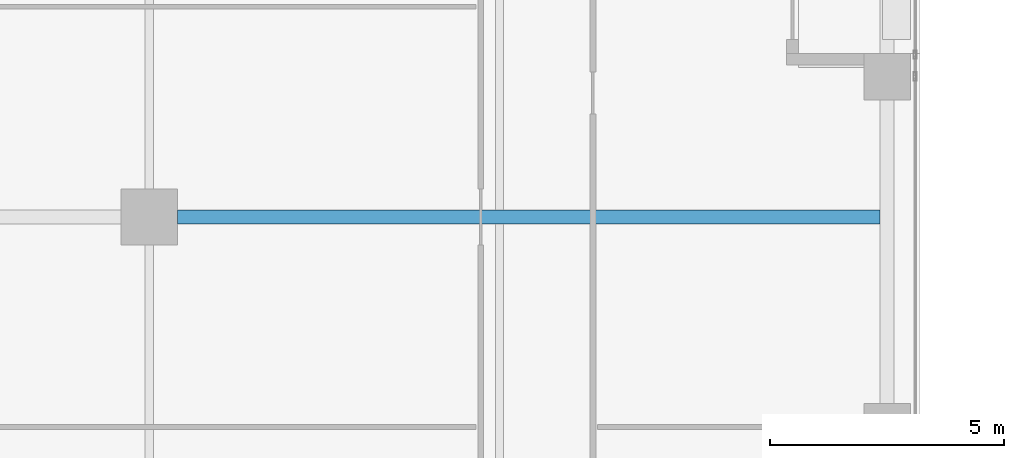
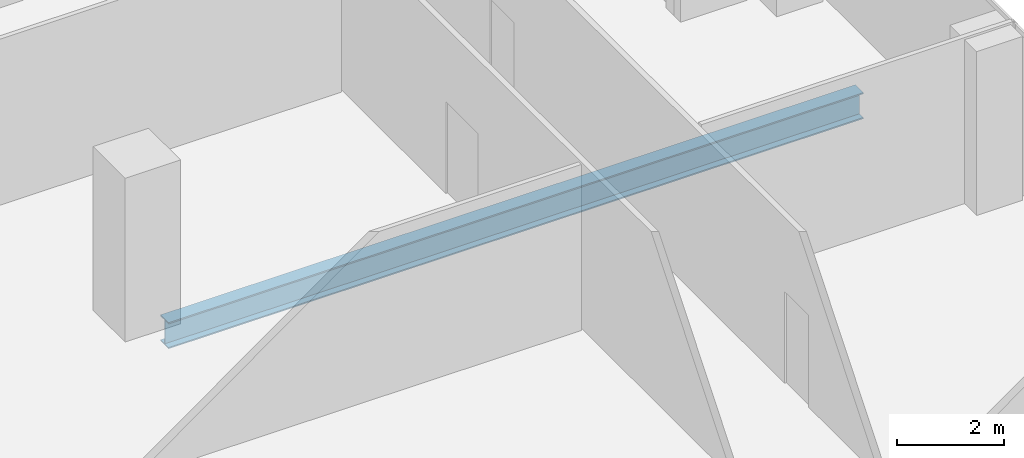
# One storey, part 15 of 40: 1 beam.
"""IFC4 building model written with IfcOpenShell, lengths in metres."""

from ifc_helpers import new_model, si_unit, direction, frame, origin, origin_2d, place, context, subcontext, project, spatial, i_section, extrude, source, transform, mapped, material, material_profile, profile_set, type_object, element, save


model = new_model("IFC4")

# Units and contexts
model_context = context("Model", 3, precision=1e-05, world=origin(), true_north=direction((0.0, 1.0)))
body_context = subcontext(model_context, "Body", "Model", "MODEL_VIEW")
ifc_project = project(units=[si_unit("LENGTHUNIT", "METRE"), si_unit("AREAUNIT", "SQUARE_METRE"), si_unit("VOLUMEUNIT", "CUBIC_METRE"), si_unit("PLANEANGLEUNIT", "RADIAN"), si_unit("MASSUNIT", "GRAM", prefix="KILO")], contexts=[model_context])

# Site, building, storey
site_placement = place(None, origin())
site = spatial("IfcSite", under=ifc_project, at=site_placement, CompositionType="ELEMENT")
building_placement = place(site_placement, origin())
building = spatial("IfcBuilding", under=site, at=building_placement, Name="Khomas Fold Tower", CompositionType="ELEMENT")
storey_placement = place(building_placement, frame((0.0, 0.0, 192.699951171875)))
storey = spatial("IfcBuildingStorey", under=building, at=storey_placement, Name="L42", CompositionType="ELEMENT", Elevation=192.699951171875)

# Beam
ifc_material = material(Name="Steel S355", Category="steel")
ifc_material_profile = material_profile(ifc_material, i_section(OverallWidth=0.300048828125, OverallDepth=0.60009765625, WebThickness=0.015380859375, FlangeThickness=0.030029296875, at=origin_2d()), Name="HE 600 B")
ifc_profile_set = profile_set([ifc_material_profile], Name="Steel S355")
beam_type = type_object("IfcBeamType", Name="HE 600 B beam GB5", PredefinedType="BEAM", material=ifc_profile_set)
shared_shape = source(origin(), body_context, "Body", "SweptSolid", [
    extrude(i_section(OverallWidth=0.300048828125, OverallDepth=0.60009765625, WebThickness=0.015380859375, FlangeThickness=0.030029296875, at=origin_2d()), origin(), (0.0, 0.0, 1.0), 15.0498046875),
])
beam_placement = place(storey_placement, frame((35.10009765625, 31.5, -0.550048828125), z_axis=(1.0, 0.0, 0.0), x_axis=(0.0, 1.0, 0.0)))
element("IfcBeam", 1, at=beam_placement, inside=storey, type_object=beam_type, Name="GB5", PredefinedType="BEAM", context=body_context, shape_type="MappedRepresentation", body=[
    mapped(shared_shape, transform((0.0, 0.0, 0.0))),
])

save(model, "model.ifc")
